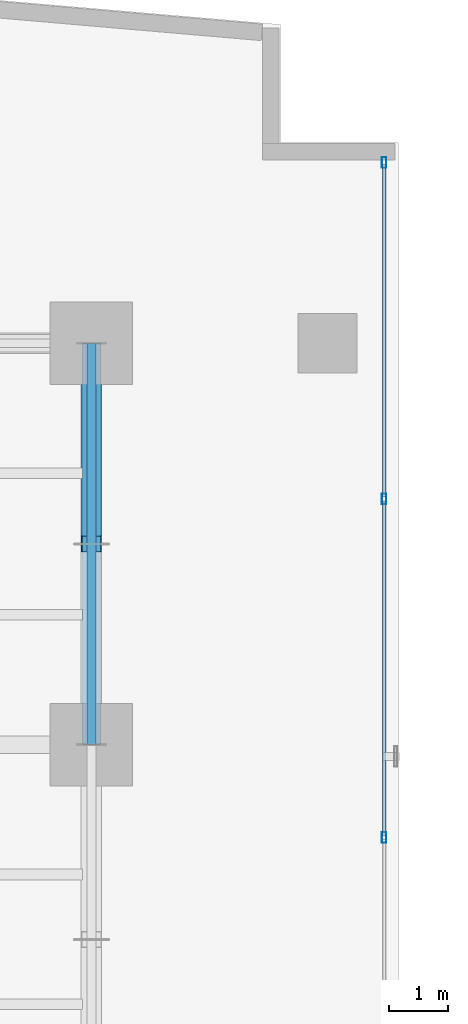
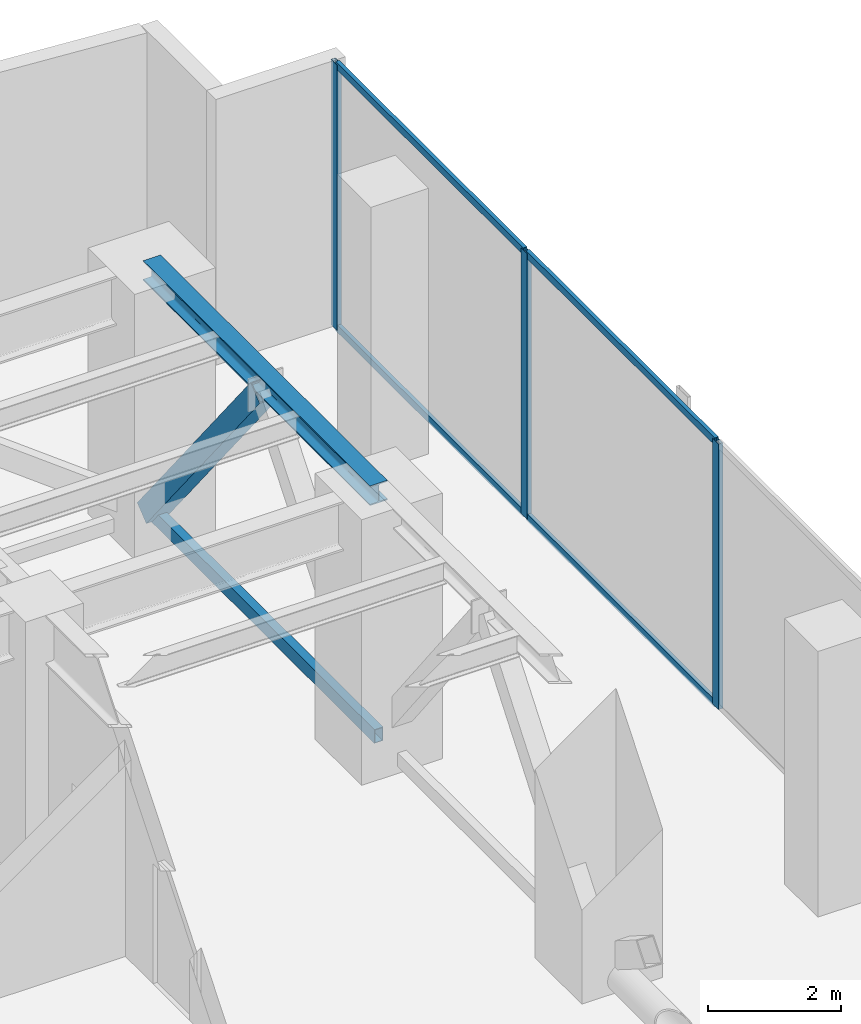
# One storey, part 24 of 37: 9 members, 1 beam, 1 element without a shape of its own.
"""IFC4 building model written with IfcOpenShell, lengths in metres."""

from ifc_helpers import new_model, si_unit, direction, frame, origin, origin_with_axes, origin_2d, place, context, subcontext, project, spatial, hollow_rectangle, i_section, extrude, source, transform, mapped, material, layer, layer_set, material_profile, profile_set, type_object, element, aggregate, save


model = new_model("IFC4")

# Units and contexts
model_context = context("Model", 3, precision=1e-05, world=origin(), true_north=direction((0.0, 1.0)))
body_context = subcontext(model_context, "Body", "Model", "MODEL_VIEW")
ifc_project = project(units=[si_unit("LENGTHUNIT", "METRE"), si_unit("AREAUNIT", "SQUARE_METRE"), si_unit("VOLUMEUNIT", "CUBIC_METRE"), si_unit("PLANEANGLEUNIT", "RADIAN"), si_unit("MASSUNIT", "GRAM", prefix="KILO")], contexts=[model_context])

# Site, building, storey
site_placement = place(None, origin())
site = spatial("IfcSite", under=ifc_project, at=site_placement, CompositionType="ELEMENT")
building_placement = place(site_placement, origin())
building = spatial("IfcBuilding", under=site, at=building_placement, Name="Kolvaren Waterfront Exchange", CompositionType="ELEMENT")
storey_placement = place(building_placement, frame((0.0, 0.0, 141.10009765625)))
storey = spatial("IfcBuildingStorey", under=building, at=storey_placement, Name="L36", CompositionType="ELEMENT", Elevation=141.10009765625)

# Beam
ifc_material_1 = material(Name="Steel S355", Category="steel")
ifc_material_profile_1 = material_profile(ifc_material_1, i_section(OverallWidth=0.300048828125, OverallDepth=0.360107421875, WebThickness=0.012451171875, FlangeThickness=0.0224609375, FilletRadius=0.027099609375, at=origin_2d()), Name="HEB360")
ifc_profile_set_1 = profile_set([ifc_material_profile_1], Name="Steel S355")
beam_type = type_object("IfcBeamType", Name="STR-BM-HEB360", PredefinedType="SPANDREL", material=ifc_profile_set_1)
beam_placement = place(storey_placement, frame((18.800048828125, 37.800048828125, 4.679931640625), z_axis=(0.0, 1.0, 0.0), x_axis=(-1.0, 0.0, 0.0)))
element("IfcBeam", 1, at=beam_placement, inside=storey, type_object=beam_type, Name="L36 north-arm edge beam 3", PredefinedType="SPANDREL", context=body_context, shape_type="SweptSolid", body=[
    extrude(i_section(OverallWidth=0.300048828125, OverallDepth=0.360107421875, WebThickness=0.012451171875, FlangeThickness=0.0224609375, FilletRadius=0.027099609375, at=origin_2d()), origin(), (0.0, 0.0, 1.0), 6.800048828125),
])

# Members
ifc_material_2 = material(Name="Steel S460", Category="steel")
ifc_material_profile_2 = material_profile(ifc_material_2, hollow_rectangle(XDim=0.14990234375, YDim=0.25, WallThickness=0.010009765625, at=origin_2d()), Name="RHS250x150x10")
ifc_profile_set_2 = profile_set([ifc_material_profile_2], Name="Steel S460")
member_type_1 = type_object("IfcMemberType", Name="STR-BR-RHS250", PredefinedType="CHORD", material=ifc_profile_set_2)
member_1_placement = place(storey_placement, frame((18.800048828125, 37.800048828125, 0.25), z_axis=(0.0, 1.0, 0.0), x_axis=(-1.0, 0.0, 0.0)))
element("IfcMember", 2, at=member_1_placement, inside=storey, type_object=member_type_1, Name="L36 belt-truss bottom chord BT7", PredefinedType="CHORD", context=body_context, shape_type="SweptSolid", body=[
    extrude(hollow_rectangle(XDim=0.14990234375, YDim=0.25, WallThickness=0.010009765625, at=origin_2d()), origin(), (0.0, 0.0, 1.0), 6.800048828125),
])
ifc_material_profile_3 = material_profile(ifc_material_2, hollow_rectangle(XDim=0.35009765625, YDim=0.35009765625, WallThickness=0.01611328125, at=origin_2d()), Name="SHS350x350x16")
ifc_profile_set_3 = profile_set([ifc_material_profile_3], Name="Steel S460")
member_type_2 = type_object("IfcMemberType", Name="STR-BR-SHS350", PredefinedType="BRACE", material=ifc_profile_set_3)
member_2_placement = place(storey_placement, frame((18.800048828125, 44.60009765625, 0.25), z_axis=(0.0, -0.623815202885, 0.78157187299), x_axis=(1.0, 0.0, 0.0)))
element("IfcMember", 3, at=member_2_placement, inside=storey, type_object=member_type_2, Name="L36 belt-truss chevron brace BT7R", PredefinedType="BRACE", context=body_context, shape_type="SweptSolid", body=[
    extrude(hollow_rectangle(XDim=0.35009765625, YDim=0.35009765625, WallThickness=0.01611328125, at=origin_2d()), origin(), (0.0, 0.0, 1.0), 5.45068359375),
])

# Curtain wall, members
ifc_material_3 = material(Name="Anodised dark bronze spandrel aluminium", Category="aluminium")
ifc_layer = layer(ifc_material_3, 0.219970703125, Name="Anodised dark bronze spandrel aluminium")
ifc_layer_set = layer_set([ifc_layer], Name="Anodised dark bronze spandrel aluminium")
curtain_wall_type = type_object("IfcCurtainWallType", Name="ARC-CW-SYS6", PredefinedType="USERDEFINED", material=ifc_layer_set)
curtain_wall_placement = place(storey_placement, origin())
curtain_wall = element("IfcCurtainWall", 4, at=curtain_wall_placement, inside=storey, type_object=curtain_wall_type, Name="L36 stick curtain wall CW6 (CW-L36-NE)", ObjectType="STICK CURTAIN WALL", PredefinedType="USERDEFINED")
ifc_material_4 = material(Name="Anodised bronze aluminium 6063-T6", Category="aluminium")
ifc_material_profile_4 = material_profile(ifc_material_4, hollow_rectangle(XDim=0.074951171875, YDim=0.179931640625, WallThickness=0.00439453125, at=origin_2d()), Name="ALU-MUL-180x75x4.5")
ifc_profile_set_4 = profile_set([ifc_material_profile_4], Name="Anodised bronze aluminium 6063-T6")
member_type_3 = type_object("IfcMemberType", Name="ARC-CWM-180", PredefinedType="MULLION", material=ifc_profile_set_4)
shared_shape_1 = source(origin_with_axes(), body_context, "Body", "SweptSolid", [
    extrude(hollow_rectangle(XDim=0.074951171875, YDim=0.179931640625, WallThickness=0.00439453125, at=origin_2d()), origin(), (0.0, 0.0, 1.0), 4.85986328125),
])
member_3_placement = place(storey_placement, frame((23.760009765625, 36.2265625, 0.0), z_axis=(0.0, 0.0, 1.0), x_axis=(-1.0, 0.0, 0.0)))
member_3 = element("IfcMember", 5, at=member_3_placement, type_object=member_type_3, Name="CW6 mullion 2", PredefinedType="MULLION", context=body_context, shape_type="MappedRepresentation", body=[
    mapped(shared_shape_1, transform((0.0, 0.0, 0.0), x_axis=(1.0, 0.0, 0.0), y_axis=(0.0, 1.0, 0.0), z_axis=(0.0, 0.0, 1.0), scale=1.0)),
])
member_4_placement = place(storey_placement, frame((23.760009765625, 41.96337890625, 0.0), z_axis=(0.0, 0.0, 1.0), x_axis=(-1.0, 0.0, 0.0)))
member_4 = element("IfcMember", 6, at=member_4_placement, type_object=member_type_3, Name="CW6 mullion 3", PredefinedType="MULLION", context=body_context, shape_type="MappedRepresentation", body=[
    mapped(shared_shape_1, transform((0.0, 0.0, 0.0), x_axis=(1.0, 0.0, 0.0), y_axis=(0.0, 1.0, 0.0), z_axis=(0.0, 0.0, 1.0), scale=1.0)),
])
member_5_placement = place(storey_placement, frame((23.760009765625, 47.66259765625, 0.0), z_axis=(0.0, 0.0, 1.0), x_axis=(-1.0, 0.0, 0.0)))
member_5 = element("IfcMember", 7, at=member_5_placement, type_object=member_type_3, Name="CW6 mullion 4", PredefinedType="MULLION", context=body_context, shape_type="MappedRepresentation", body=[
    mapped(shared_shape_1, transform((0.0, 0.0, 0.0), x_axis=(1.0, 0.0, 0.0), y_axis=(0.0, 1.0, 0.0), z_axis=(0.0, 0.0, 1.0), scale=1.0)),
])
ifc_material_profile_5 = material_profile(ifc_material_4, hollow_rectangle(XDim=0.06494140625, YDim=0.1298828125, WallThickness=0.00390625, at=origin_2d()), Name="ALU-TRN-130x65x4")
ifc_profile_set_5 = profile_set([ifc_material_profile_5], Name="Anodised bronze aluminium 6063-T6")
member_type_4 = type_object("IfcMemberType", Name="ARC-CWT-130", PredefinedType="USERDEFINED", material=ifc_profile_set_5)
shared_shape_2 = source(origin_with_axes(), body_context, "Body", "SweptSolid", [
    extrude(hollow_rectangle(XDim=0.06494140625, YDim=0.1298828125, WallThickness=0.00390625, at=origin_2d()), origin(), (0.0, 0.0, 1.0), 5.624267578125),
])
member_6_placement = place(storey_placement, frame((23.760009765625, 42.000732421875, 0.032470703125), z_axis=(0.0, 1.0, 0.0), x_axis=(-1.0, 0.0, 0.0)))
member_6 = element("IfcMember", 8, at=member_6_placement, type_object=member_type_4, Name="CW6 transom 3.1", ObjectType="TRANSOM", PredefinedType="USERDEFINED", context=body_context, shape_type="MappedRepresentation", body=[
    mapped(shared_shape_2, transform((0.0, 0.0, 0.0), x_axis=(1.0, 0.0, 0.0), y_axis=(0.0, 1.0, 0.0), z_axis=(0.0, 0.0, 1.0), scale=1.0)),
])
member_7_placement = place(storey_placement, frame((23.760009765625, 42.000732421875, 4.827392578125), z_axis=(0.0, 1.0, 0.0), x_axis=(-1.0, 0.0, 0.0)))
member_7 = element("IfcMember", 9, at=member_7_placement, type_object=member_type_4, Name="CW6 transom 3.2", ObjectType="TRANSOM", PredefinedType="USERDEFINED", context=body_context, shape_type="MappedRepresentation", body=[
    mapped(shared_shape_2, transform((0.0, 0.0, 0.0), x_axis=(1.0, 0.0, 0.0), y_axis=(0.0, 1.0, 0.0), z_axis=(0.0, 0.0, 1.0), scale=1.0)),
])
shared_shape_3 = source(origin_with_axes(), body_context, "Body", "SweptSolid", [
    extrude(hollow_rectangle(XDim=0.06494140625, YDim=0.1298828125, WallThickness=0.00390625, at=origin_2d()), origin(), (0.0, 0.0, 1.0), 5.66162109375),
])
member_8_placement = place(storey_placement, frame((23.760009765625, 36.26416015625, 0.032470703125), z_axis=(0.0, 1.0, 0.0), x_axis=(-1.0, 0.0, 0.0)))
member_8 = element("IfcMember", 10, at=member_8_placement, type_object=member_type_4, Name="CW6 transom 2.1", ObjectType="TRANSOM", PredefinedType="USERDEFINED", context=body_context, shape_type="MappedRepresentation", body=[
    mapped(shared_shape_3, transform((0.0, 0.0, 0.0), x_axis=(1.0, 0.0, 0.0), y_axis=(0.0, 1.0, 0.0), z_axis=(0.0, 0.0, 1.0), scale=1.0)),
])
member_9_placement = place(storey_placement, frame((23.760009765625, 36.26416015625, 4.827392578125), z_axis=(0.0, 1.0, 0.0), x_axis=(-1.0, 0.0, 0.0)))
member_9 = element("IfcMember", 11, at=member_9_placement, type_object=member_type_4, Name="CW6 transom 2.2", ObjectType="TRANSOM", PredefinedType="USERDEFINED", context=body_context, shape_type="MappedRepresentation", body=[
    mapped(shared_shape_3, transform((0.0, 0.0, 0.0), x_axis=(1.0, 0.0, 0.0), y_axis=(0.0, 1.0, 0.0), z_axis=(0.0, 0.0, 1.0), scale=1.0)),
])
aggregate(curtain_wall, [member_3, member_4, member_5, member_8, member_9, member_6, member_7])

save(model, "model.ifc")
